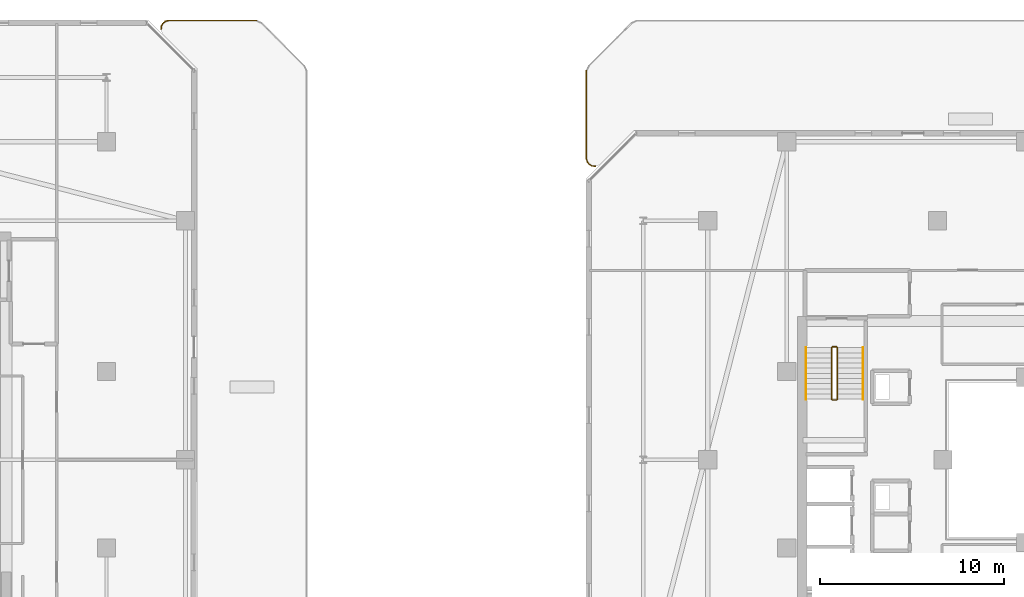
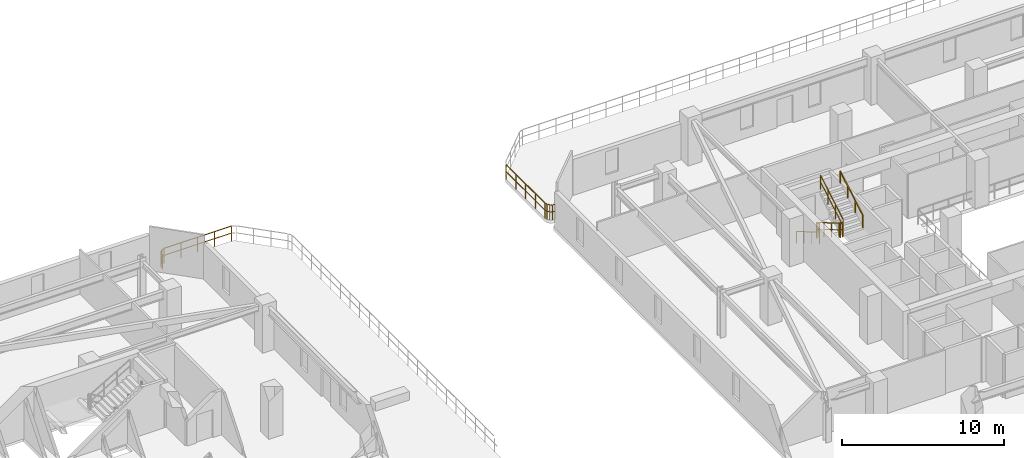
# One storey, part 30 of 32: 8 railings.
"""IFC4 building model written with IfcOpenShell, lengths in metres."""

import ifcopenshell
import ifcopenshell.guid

model = None  # the IFC model being written
_history = None  # IfcOwnerHistory: only IFC2X3 demands one
_inside = {}  # id of a spatial element -> (the spatial element, [elements in it])
_under = {}  # id of a project, library or spatial element -> (it, [spatial elements below it])
_declared = {}  # id of a project -> (the project, [libraries it declares])
_typed = {}  # id of a type object -> (the type object, [elements of that type])
_made_of = {}  # id of a material, layer set ... -> (it, [elements and type objects made of it])


def new_model(schema):
    """Start an empty IFC model of exactly this schema.

    Asked for "IFC4X3", IfcOpenShell would pick the latest addendum, in which some entities
    have other attributes; the version numbers below select the first issue.
    IFC2X3 requires an IfcOwnerHistory on every rooted entity: one is made here for all.
    """
    global model, _history
    if schema == "IFC4X3":
        model = ifcopenshell.file(schema_version=(4, 3, 0, 0))
    else:
        model = ifcopenshell.file(schema=schema)
    _inside.clear()
    _under.clear()
    _declared.clear()
    _typed.clear()
    _made_of.clear()
    _history = None
    if model.schema == "IFC2X3":
        org = make("IfcOrganization", Name="unknown")
        user = make(
            "IfcPersonAndOrganization",
            ThePerson=make("IfcPerson", FamilyName="unknown"),
            TheOrganization=org,
        )
        app = make(
            "IfcApplication",
            ApplicationDeveloper=org,
            Version="unknown",
            ApplicationFullName="unknown",
            ApplicationIdentifier="unknown",
        )
        _history = make(
            "IfcOwnerHistory",
            OwningUser=user,
            OwningApplication=app,
            ChangeAction="ADDED",
            CreationDate=0,
        )
    return model


def make(cls, **values):
    """One entity of the class cls with the attributes given. An attribute that is None is left unset."""
    return model.create_entity(
        cls, **{name: value for name, value in values.items() if value is not None}
    )


def rooted(cls, **values):
    """An entity with a GlobalId (a new one), such as an element, a storey or a relation."""
    return make(cls, GlobalId=ifcopenshell.guid.new(), OwnerHistory=_history, **values)


def si_unit(unit_type, name, prefix=None):
    """IfcSIUnit, for example si_unit("LENGTHUNIT", "METRE", prefix="MILLI")."""
    return make("IfcSIUnit", UnitType=unit_type, Prefix=prefix, Name=name)


def assignment(units):
    """IfcUnitAssignment: the units of a project."""
    return None if units is None else make("IfcUnitAssignment", Units=units)


def point(xyz):
    """IfcCartesianPoint."""
    return None if xyz is None else make("IfcCartesianPoint", Coordinates=xyz)


def direction(xyz):
    """IfcDirection."""
    return None if xyz is None else make("IfcDirection", DirectionRatios=xyz)


def frame(location, z_axis=None, x_axis=None):
    """IfcAxis2Placement3D, a coordinate frame: its origin and axes. An axis left out is left unset."""
    return make(
        "IfcAxis2Placement3D",
        Location=point(location),
        Axis=direction(z_axis),
        RefDirection=direction(x_axis),
    )


def frame_2d(location, x_axis=None):
    """IfcAxis2Placement2D, a coordinate frame in the plane: its origin and x axis."""
    return make(
        "IfcAxis2Placement2D", Location=point(location), RefDirection=direction(x_axis)
    )


def origin():
    """The frame at (0, 0, 0) with its axes left unset."""
    return frame((0.0, 0.0, 0.0))


def origin_2d():
    """The frame at (0, 0) in the plane with its x axis left unset."""
    return frame_2d((0.0, 0.0))


def place(relative_to, where):
    """IfcLocalPlacement: puts the frame where relative to a parent placement (None: the world)."""
    return make(
        "IfcLocalPlacement", PlacementRelTo=relative_to, RelativePlacement=where
    )


def context(
    kind, dimensions, precision=None, world=None, true_north=None, identifier=None
):
    """IfcGeometricRepresentationContext, for example the 3D "Model" context."""
    return make(
        "IfcGeometricRepresentationContext",
        ContextIdentifier=identifier,
        ContextType=kind,
        CoordinateSpaceDimension=dimensions,
        Precision=precision,
        WorldCoordinateSystem=world,
        TrueNorth=true_north,
    )


def subcontext(parent, identifier, kind, view, scale=None):
    """IfcGeometricRepresentationSubContext, for example "Body" below "Model"."""
    return make(
        "IfcGeometricRepresentationSubContext",
        ContextIdentifier=identifier,
        ContextType=kind,
        ParentContext=parent,
        TargetScale=scale,
        TargetView=view,
    )


def project(units=None, contexts=None):
    """IfcProject with its units and contexts."""
    return rooted(
        "IfcProject",
        Name="project",
        RepresentationContexts=contexts,
        UnitsInContext=assignment(units),
    )


def spatial(cls, under=None, at=None, **own):
    """A site, building, storey or space (cls), placed at a placement, below another one or the project."""
    s = rooted(cls, ObjectPlacement=at, **own)
    if under is not None:
        _under.setdefault(under.id(), (under, []))[1].append(s)
    return s


def profile(cls, at=None, kind="AREA", **sizes):
    """A parametric profile (cls). Its sizes go by their IFC names, for example OverallWidth=200.0."""
    return make(cls, ProfileType=kind, Position=at, **sizes)


def rectangle(**sizes):
    """IfcRectangleProfileDef."""
    return profile("IfcRectangleProfileDef", **sizes)


def extrude(swept, where, along, depth):
    """IfcExtrudedAreaSolid: the profile swept, set in the frame where, extruded along a direction by depth."""
    return make(
        "IfcExtrudedAreaSolid",
        SweptArea=swept,
        Position=where,
        ExtrudedDirection=direction(along),
        Depth=depth,
    )


def shape(context_of_items, identifier, shape_type, items):
    """IfcShapeRepresentation: the items that make up one representation, for example the "Body"."""
    return make(
        "IfcShapeRepresentation",
        ContextOfItems=context_of_items,
        RepresentationIdentifier=identifier,
        RepresentationType=shape_type,
        Items=items,
    )


def material(Name=None, Category=None):
    """IfcMaterial."""
    return make("IfcMaterial", Name=Name, Category=Category)


def made_of(thing, what):
    """Note that an element or type object is made of a material, layer set ...; save() writes the relation."""
    if what is not None:
        _made_of.setdefault(what.id(), (what, []))[1].append(thing)
    return thing


def type_object(cls, material=None, **own):
    """A type object (cls), such as IfcWallType, which elements share."""
    return made_of(rooted(cls, **own), material)


def element(
    cls,
    number,
    at=None,
    inside=None,
    cuts=None,
    type_object=None,
    material=None,
    context=None,
    identifier="Body",
    shape_type=None,
    held_by="IfcProductDefinitionShape",
    body=None,
    shapes=None,
    **own,
):
    """One element of the class cls, such as IfcWall. Its Tag is "e" and its number.

    at: its placement. inside: the storey or other place that contains it. cuts: it is an
    opening in that element (IfcRelVoidsElement). A single representation is given by context,
    identifier, shape_type and body (its items); several are given by shapes. held_by: the class
    of the entity that holds the representations. save() writes the other relations.
    """
    e = rooted(cls, Tag="e%d" % number, ObjectPlacement=at, **own)
    if body is not None:
        shapes = [shape(context, identifier, shape_type, body)]
    if shapes is not None:
        e.Representation = make(held_by, Representations=shapes)
    if inside is not None:
        _inside.setdefault(inside.id(), (inside, []))[1].append(e)
    if cuts is not None:
        rooted(
            "IfcRelVoidsElement", RelatingBuildingElement=cuts, RelatedOpeningElement=e
        )
    if type_object is not None:
        _typed.setdefault(type_object.id(), (type_object, []))[1].append(e)
    return made_of(e, material)


def aggregate(whole, parts):
    """IfcRelAggregates: a whole, such as a stair, and the parts it consists of."""
    return rooted("IfcRelAggregates", RelatingObject=whole, RelatedObjects=parts)


def save(model, path):
    """Write the relations noted so far, then the file.

    IfcRelAggregates (storeys below a building ...), IfcRelContainedInSpatialStructure (elements
    in a storey), IfcRelDefinesByType, IfcRelAssociatesMaterial and IfcRelDeclares: one each for
    every whole, place, type object, material and project.
    """
    for whole, parts in _under.values():
        aggregate(whole, parts)
    for where, things in _inside.values():
        rooted(
            "IfcRelContainedInSpatialStructure",
            RelatedElements=things,
            RelatingStructure=where,
        )
    for kind, things in _typed.values():
        rooted("IfcRelDefinesByType", RelatedObjects=things, RelatingType=kind)
    for what, things in _made_of.values():
        rooted("IfcRelAssociatesMaterial", RelatedObjects=things, RelatingMaterial=what)
    for by, libraries in _declared.values():
        rooted("IfcRelDeclares", RelatingContext=by, RelatedDefinitions=libraries)
    model.write(path)


model = new_model("IFC4")

# Units and contexts
model_context = context("Model", 3, precision=1e-05, world=origin(), true_north=direction((0.0, 1.0)))
body_context = subcontext(model_context, "Body", "Model", "MODEL_VIEW")
ifc_project = project(units=[si_unit("LENGTHUNIT", "METRE"), si_unit("AREAUNIT", "SQUARE_METRE"), si_unit("VOLUMEUNIT", "CUBIC_METRE"), si_unit("PLANEANGLEUNIT", "RADIAN"), si_unit("MASSUNIT", "GRAM", prefix="KILO")], contexts=[model_context])

# Site, building, storey
site_placement = place(None, origin())
site = spatial("IfcSite", under=ifc_project, at=site_placement, CompositionType="ELEMENT")
building_placement = place(site_placement, origin())
building = spatial("IfcBuilding", under=site, at=building_placement, Name="Thornwick Lancets Civic Towers", CompositionType="ELEMENT")
storey_placement = place(building_placement, frame((0.0, 0.0, 200.10009765625)))
storey = spatial("IfcBuildingStorey", under=building, at=storey_placement, Name="L53", CompositionType="ELEMENT", Elevation=200.10009765625)

# Railings
ifc_material_1 = material(Name="Brushed stainless steel S355", Category="steel")
railing_type_1 = type_object("IfcRailingType", Name="RAIL_HANDRAIL", PredefinedType="HANDRAIL", material=ifc_material_1)
railing_1_placement = place(storey_placement, frame((76.550048828125, 33.10009765625, 0.16357421875)))
element("IfcRailing", 1, at=railing_1_placement, inside=storey, type_object=railing_type_1, Name="L53 ST-B2 stair handrail 1", PredefinedType="HANDRAIL", context=body_context, shape_type="SweptSolid", body=[
    extrude(rectangle(XDim=0.048095703125, YDim=0.048095703125, at=origin_2d()), frame((0.0, 0.0, 0.8857421875), z_axis=(0.0, -0.863393664356, 0.504530851732), x_axis=(1.0, 0.0, 0.0)), (0.0, 0.0, 1.0), 3.2431640625),
    extrude(rectangle(XDim=0.0419921875, YDim=0.0419921875, at=origin_2d()), origin(), (0.0, 0.0, 1.0), 0.855712890625),
    extrude(rectangle(XDim=0.0419921875, YDim=0.0419921875, at=origin_2d()), frame((0.0, -0.933349609375, 0.54541015625)), (0.0, 0.0, 1.0), 0.855712890625),
    extrude(rectangle(XDim=0.0419921875, YDim=0.0419921875, at=origin_2d()), frame((0.0, -1.86669921875, 1.0908203125)), (0.0, 0.0, 1.0), 0.855712890625),
    extrude(rectangle(XDim=0.0419921875, YDim=0.0419921875, at=origin_2d()), frame((0.0, -2.800048828125, 1.63623046875)), (0.0, 0.0, 1.0), 0.855712890625),
])
railing_2_placement = place(storey_placement, frame((79.64990234375, 30.300048828125, 1.963623046875)))
element("IfcRailing", 2, at=railing_2_placement, inside=storey, type_object=railing_type_1, Name="L53 ST-B2 stair handrail 2", PredefinedType="HANDRAIL", context=body_context, shape_type="SweptSolid", body=[
    extrude(rectangle(XDim=0.048095703125, YDim=0.048095703125, at=origin_2d()), frame((0.0, 0.0, 0.8857421875), z_axis=(0.0, 0.863393664356, 0.504530851732), x_axis=(-1.0, 0.0, 0.0)), (0.0, 0.0, 1.0), 3.2431640625),
    extrude(rectangle(XDim=0.0419921875, YDim=0.0419921875, at=origin_2d()), origin(), (0.0, 0.0, 1.0), 0.855712890625),
    extrude(rectangle(XDim=0.0419921875, YDim=0.0419921875, at=origin_2d()), frame((0.0, 0.933349609375, 0.54541015625)), (0.0, 0.0, 1.0), 0.855712890625),
    extrude(rectangle(XDim=0.0419921875, YDim=0.0419921875, at=origin_2d()), frame((0.0, 1.86669921875, 1.0908203125)), (0.0, 0.0, 1.0), 0.855712890625),
    extrude(rectangle(XDim=0.0419921875, YDim=0.0419921875, at=origin_2d()), frame((0.0, 2.800048828125, 1.63623046875)), (0.0, 0.0, 1.0), 0.855712890625),
])
ifc_material_2 = material(Name="Steel S355JR", Category="steel")
railing_type_2 = type_object("IfcRailingType", Name="RAIL_STAIR_GUARD", PredefinedType="GUARDRAIL", material=ifc_material_2)
railing_3_placement = place(storey_placement, frame((77.949951171875, 33.10009765625, 0.16357421875)))
element("IfcRailing", 3, at=railing_3_placement, inside=storey, type_object=railing_type_2, Name="L53 ST-B2 stair guard 1", PredefinedType="GUARDRAIL", context=body_context, shape_type="SweptSolid", body=[
    extrude(rectangle(XDim=0.048095703125, YDim=0.048095703125, at=origin_2d()), frame((0.0, 0.0, 1.076171875), z_axis=(0.0, -0.863393664356, 0.504530851732), x_axis=(1.0, 0.0, 0.0)), (0.0, 0.0, 1.0), 3.2431640625),
    extrude(rectangle(XDim=0.0419921875, YDim=0.0419921875, at=origin_2d()), frame((0.0, -0.032470703125, 0.591064453125), z_axis=(0.0, -0.863393664356, 0.504530851732), x_axis=(1.0, 0.0, 0.0)), (0.0, 0.0, 1.0), 1.006103515625),
    extrude(rectangle(XDim=0.0419921875, YDim=0.0419921875, at=origin_2d()), frame((0.0, -0.9658203125, 1.136474609375), z_axis=(0.0, -0.863393664356, 0.504530851732), x_axis=(1.0, 0.0, 0.0)), (0.0, 0.0, 1.0), 1.006103515625),
    extrude(rectangle(XDim=0.0419921875, YDim=0.0419921875, at=origin_2d()), frame((0.0, -1.899169921875, 1.681884765625), z_axis=(0.0, -0.863393664356, 0.504530851732), x_axis=(1.0, 0.0, 0.0)), (0.0, 0.0, 1.0), 1.006103515625),
    extrude(rectangle(XDim=0.0419921875, YDim=0.0419921875, at=origin_2d()), origin(), (0.0, 0.0, 1.0), 1.0458984375),
    extrude(rectangle(XDim=0.0419921875, YDim=0.0419921875, at=origin_2d()), frame((0.0, -0.933349609375, 0.54541015625)), (0.0, 0.0, 1.0), 1.0458984375),
    extrude(rectangle(XDim=0.0419921875, YDim=0.0419921875, at=origin_2d()), frame((0.0, -1.86669921875, 1.0908203125)), (0.0, 0.0, 1.0), 1.0458984375),
    extrude(rectangle(XDim=0.0419921875, YDim=0.0419921875, at=origin_2d()), frame((0.0, -2.800048828125, 1.63623046875)), (0.0, 0.0, 1.0), 1.0458984375),
])
railing_4_placement = place(storey_placement, frame((78.0, 30.25, 1.7998046875)))
element("IfcRailing", 4, at=railing_4_placement, inside=storey, type_object=railing_type_2, Name="L53 ST-B2 stair guard 2", PredefinedType="GUARDRAIL", context=body_context, shape_type="SweptSolid", body=[
    extrude(rectangle(XDim=0.048095703125, YDim=0.048095703125, at=origin_2d()), frame((0.0, 0.0, 1.076171875), z_axis=(1.0, 0.0, 0.0), x_axis=(0.0, 1.0, 0.0)), (0.0, 0.0, 1.0), 0.199951171875),
    extrude(rectangle(XDim=0.0419921875, YDim=0.0419921875, at=origin_2d()), frame((0.03759765625, 0.0, 0.572021484375), z_axis=(1.0, 0.0, 0.0), x_axis=(0.0, 1.0, 0.0)), (0.0, 0.0, 1.0), 0.125),
    extrude(rectangle(XDim=0.0419921875, YDim=0.0419921875, at=origin_2d()), origin(), (0.0, 0.0, 1.0), 1.0458984375),
    extrude(rectangle(XDim=0.0419921875, YDim=0.0419921875, at=origin_2d()), frame((0.199951171875, 0.0, 0.0)), (0.0, 0.0, 1.0), 1.0458984375),
])
railing_5_placement = place(storey_placement, frame((78.25, 30.300048828125, 1.963623046875)))
element("IfcRailing", 5, at=railing_5_placement, inside=storey, type_object=railing_type_2, Name="L53 ST-B2 stair guard 3", PredefinedType="GUARDRAIL", context=body_context, shape_type="SweptSolid", body=[
    extrude(rectangle(XDim=0.048095703125, YDim=0.048095703125, at=origin_2d()), frame((0.0, 0.0, 1.076171875), z_axis=(0.0, 0.863393664356, 0.504530851732), x_axis=(-1.0, 0.0, 0.0)), (0.0, 0.0, 1.0), 3.2431640625),
    extrude(rectangle(XDim=0.0419921875, YDim=0.0419921875, at=origin_2d()), frame((0.0, 0.032470703125, 0.591064453125), z_axis=(0.0, 0.863393664356, 0.504530851732), x_axis=(-1.0, 0.0, 0.0)), (0.0, 0.0, 1.0), 1.006103515625),
    extrude(rectangle(XDim=0.0419921875, YDim=0.0419921875, at=origin_2d()), frame((0.0, 0.9658203125, 1.136474609375), z_axis=(0.0, 0.863393664356, 0.504530851732), x_axis=(-1.0, 0.0, 0.0)), (0.0, 0.0, 1.0), 1.006103515625),
    extrude(rectangle(XDim=0.0419921875, YDim=0.0419921875, at=origin_2d()), frame((0.0, 1.899169921875, 1.681884765625), z_axis=(0.0, 0.863393664356, 0.504530851732), x_axis=(-1.0, 0.0, 0.0)), (0.0, 0.0, 1.0), 1.006103515625),
    extrude(rectangle(XDim=0.0419921875, YDim=0.0419921875, at=origin_2d()), origin(), (0.0, 0.0, 1.0), 1.0458984375),
    extrude(rectangle(XDim=0.0419921875, YDim=0.0419921875, at=origin_2d()), frame((0.0, 0.933349609375, 0.54541015625)), (0.0, 0.0, 1.0), 1.0458984375),
    extrude(rectangle(XDim=0.0419921875, YDim=0.0419921875, at=origin_2d()), frame((0.0, 1.86669921875, 1.0908203125)), (0.0, 0.0, 1.0), 1.0458984375),
    extrude(rectangle(XDim=0.0419921875, YDim=0.0419921875, at=origin_2d()), frame((0.0, 2.800048828125, 1.63623046875)), (0.0, 0.0, 1.0), 1.0458984375),
])
railing_6_placement = place(storey_placement, frame((78.0, 33.14990234375, 0.0)))
element("IfcRailing", 6, at=railing_6_placement, inside=storey, type_object=railing_type_2, Name="L53 ST-B2 stair guard 4", PredefinedType="GUARDRAIL", context=body_context, shape_type="SweptSolid", body=[
    extrude(rectangle(XDim=0.048095703125, YDim=0.048095703125, at=origin_2d()), frame((0.0, 0.0, 1.076171875), z_axis=(1.0, 0.0, 0.0), x_axis=(0.0, 1.0, 0.0)), (0.0, 0.0, 1.0), 0.199951171875),
    extrude(rectangle(XDim=0.0419921875, YDim=0.0419921875, at=origin_2d()), frame((0.03759765625, 0.0, 0.572021484375), z_axis=(1.0, 0.0, 0.0), x_axis=(0.0, 1.0, 0.0)), (0.0, 0.0, 1.0), 0.125),
    extrude(rectangle(XDim=0.0419921875, YDim=0.0419921875, at=origin_2d()), origin(), (0.0, 0.0, 1.0), 1.0458984375),
    extrude(rectangle(XDim=0.0419921875, YDim=0.0419921875, at=origin_2d()), frame((0.199951171875, 0.0, 0.0)), (0.0, 0.0, 1.0), 1.0458984375),
])
ifc_material_3 = material(Name="Terracotta-capped laminated glass balustrade S355", Category="masonry")
railing_type_3 = type_object("IfcRailingType", Name="RAIL_TERR_GUARD", PredefinedType="GUARDRAIL", material=ifc_material_3)
railing_7_placement = place(storey_placement, frame((41.46728515625, 50.40234375, 0.0)))
element("IfcRailing", 7, at=railing_7_placement, inside=storey, type_object=railing_type_3, Name="L53 Tower A Sky-Garden Guard 1 Part 2", PredefinedType="GUARDRAIL", context=body_context, shape_type="SweptSolid", body=[
    extrude(rectangle(XDim=0.048095703125, YDim=0.048095703125, at=origin_2d()), frame((0.0, 0.0, 1.1259765625), z_axis=(0.094101126617, 0.99556264392, 0.0), x_axis=(-0.99556264392, 0.094101126617, 0.0)), (0.0, 0.0, 1.0), 0.147705078125),
    extrude(rectangle(XDim=0.0419921875, YDim=0.0419921875, at=origin_2d()), frame((0.00341796875, 0.037353515625, 0.597900390625), z_axis=(0.094101126617, 0.99556264392, 0.0), x_axis=(-0.99556264392, 0.094101126617, 0.0)), (0.0, 0.0, 1.0), 0.10400390625),
    extrude(rectangle(XDim=0.048095703125, YDim=0.048095703125, at=origin_2d()), frame((0.031494140625, 0.205810546875, 1.1259765625), z_axis=(0.470948722639, 0.882160586654, 0.0), x_axis=(-0.882160586654, 0.470948722639, 0.0)), (0.0, 0.0, 1.0), 0.11328125),
    extrude(rectangle(XDim=0.0419921875, YDim=0.0419921875, at=origin_2d()), frame((0.034423828125, 0.211181640625, 0.597900390625), z_axis=(0.470948722639, 0.882160586654, 0.0), x_axis=(-0.882160586654, 0.470948722639, 0.0)), (0.0, 0.0, 1.0), 0.100830078125),
    extrude(rectangle(XDim=0.048095703125, YDim=0.048095703125, at=origin_2d()), frame((0.123779296875, 0.35302734375, 1.1259765625), z_axis=(0.773213238462, 0.634146109242, 0.0), x_axis=(-0.634146109242, 0.773213238462, 0.0)), (0.0, 0.0, 1.0), 0.113037109375),
    extrude(rectangle(XDim=0.0419921875, YDim=0.0419921875, at=origin_2d()), frame((0.128662109375, 0.35693359375, 0.597900390625), z_axis=(0.773213238462, 0.634146109242, 0.0), x_axis=(-0.634146109242, 0.773213238462, 0.0)), (0.0, 0.0, 1.0), 0.1005859375),
    extrude(rectangle(XDim=0.048095703125, YDim=0.048095703125, at=origin_2d()), frame((0.265380859375, 0.45361328125, 1.1259765625), z_axis=(0.957211427299, 0.289389501276, 0.0), x_axis=(-0.289389501276, 0.957211427299, 0.0)), (0.0, 0.0, 1.0), 0.113037109375),
    extrude(rectangle(XDim=0.0419921875, YDim=0.0419921875, at=origin_2d()), frame((0.271240234375, 0.455322265625, 0.597900390625), z_axis=(0.957211427299, 0.289389501276, 0.0), x_axis=(-0.289389501276, 0.957211427299, 0.0)), (0.0, 0.0, 1.0), 0.1005859375),
    extrude(rectangle(XDim=0.048095703125, YDim=0.048095703125, at=origin_2d()), frame((0.4345703125, 0.495361328125, 1.1259765625), z_axis=(1.0, 0.0, 0.0), x_axis=(0.0, 1.0, 0.0)), (0.0, 0.0, 1.0), 4.755859375),
    extrude(rectangle(XDim=0.0419921875, YDim=0.0419921875, at=origin_2d()), frame((0.44091796875, 0.495361328125, 0.597900390625), z_axis=(1.0, 0.0, 0.0), x_axis=(0.0, 1.0, 0.0)), (0.0, 0.0, 1.0), 1.121826171875),
    extrude(rectangle(XDim=0.0419921875, YDim=0.0419921875, at=origin_2d()), frame((1.6376953125, 0.495361328125, 0.597900390625), z_axis=(1.0, 0.0, 0.0), x_axis=(0.0, 1.0, 0.0)), (0.0, 0.0, 1.0), 1.121826171875),
    extrude(rectangle(XDim=0.0419921875, YDim=0.0419921875, at=origin_2d()), frame((2.83447265625, 0.495361328125, 0.597900390625), z_axis=(1.0, 0.0, 0.0), x_axis=(0.0, 1.0, 0.0)), (0.0, 0.0, 1.0), 1.121826171875),
    extrude(rectangle(XDim=0.0419921875, YDim=0.0419921875, at=origin_2d()), frame((4.03125, 0.495361328125, 0.597900390625), z_axis=(1.0, 0.0, 0.0), x_axis=(0.0, 1.0, 0.0)), (0.0, 0.0, 1.0), 1.121826171875),
    extrude(rectangle(XDim=0.0419921875, YDim=0.0419921875, at=origin_2d()), origin(), (0.0, 0.0, 1.0), 1.095703125),
    extrude(rectangle(XDim=0.0419921875, YDim=0.0419921875, at=origin_2d()), frame((0.016845703125, 0.17822265625, 0.0)), (0.0, 0.0, 1.0), 1.095703125),
    extrude(rectangle(XDim=0.0419921875, YDim=0.0419921875, at=origin_2d()), frame((0.099609375, 0.333251953125, 0.0)), (0.0, 0.0, 1.0), 1.095703125),
    extrude(rectangle(XDim=0.0419921875, YDim=0.0419921875, at=origin_2d()), frame((0.2353515625, 0.444580078125, 0.0)), (0.0, 0.0, 1.0), 1.095703125),
    extrude(rectangle(XDim=0.0419921875, YDim=0.0419921875, at=origin_2d()), frame((0.4033203125, 0.495361328125, 0.0)), (0.0, 0.0, 1.0), 1.095703125),
    extrude(rectangle(XDim=0.0419921875, YDim=0.0419921875, at=origin_2d()), frame((1.60009765625, 0.495361328125, 0.0)), (0.0, 0.0, 1.0), 1.095703125),
    extrude(rectangle(XDim=0.0419921875, YDim=0.0419921875, at=origin_2d()), frame((2.796875, 0.495361328125, 0.0)), (0.0, 0.0, 1.0), 1.095703125),
    extrude(rectangle(XDim=0.0419921875, YDim=0.0419921875, at=origin_2d()), frame((3.99365234375, 0.495361328125, 0.0)), (0.0, 0.0, 1.0), 1.095703125),
    extrude(rectangle(XDim=0.0419921875, YDim=0.0419921875, at=origin_2d()), frame((5.1904296875, 0.495361328125, 0.0)), (0.0, 0.0, 1.0), 1.095703125),
])
railing_8_placement = place(storey_placement, frame((65.09765625, 42.96728515625, 0.0)))
element("IfcRailing", 8, at=railing_8_placement, inside=storey, type_object=railing_type_3, Name="L53 Tower B Sky-Garden Guard 1 Part 2", PredefinedType="GUARDRAIL", context=body_context, shape_type="SweptSolid", body=[
    extrude(rectangle(XDim=0.048095703125, YDim=0.048095703125, at=origin_2d()), frame((0.0, 0.0, 1.1259765625), z_axis=(-0.99556264392, 0.094101126617, 0.0), x_axis=(-0.094101126617, -0.99556264392, 0.0)), (0.0, 0.0, 1.0), 0.147705078125),
    extrude(rectangle(XDim=0.0419921875, YDim=0.0419921875, at=origin_2d()), frame((-0.037353515625, 0.00341796875, 0.597900390625), z_axis=(-0.99556264392, 0.094101126617, 0.0), x_axis=(-0.094101126617, -0.99556264392, 0.0)), (0.0, 0.0, 1.0), 0.10400390625),
    extrude(rectangle(XDim=0.048095703125, YDim=0.048095703125, at=origin_2d()), frame((-0.205810546875, 0.031494140625, 1.1259765625), z_axis=(-0.882160586654, 0.470948722639, 0.0), x_axis=(-0.470948722639, -0.882160586654, 0.0)), (0.0, 0.0, 1.0), 0.11328125),
    extrude(rectangle(XDim=0.0419921875, YDim=0.0419921875, at=origin_2d()), frame((-0.211181640625, 0.034423828125, 0.597900390625), z_axis=(-0.882160586654, 0.470948722639, 0.0), x_axis=(-0.470948722639, -0.882160586654, 0.0)), (0.0, 0.0, 1.0), 0.100830078125),
    extrude(rectangle(XDim=0.048095703125, YDim=0.048095703125, at=origin_2d()), frame((-0.35302734375, 0.123779296875, 1.1259765625), z_axis=(-0.634146109242, 0.773213238462, 0.0), x_axis=(-0.773213238462, -0.634146109242, 0.0)), (0.0, 0.0, 1.0), 0.113037109375),
    extrude(rectangle(XDim=0.0419921875, YDim=0.0419921875, at=origin_2d()), frame((-0.35693359375, 0.128662109375, 0.597900390625), z_axis=(-0.634146109242, 0.773213238462, 0.0), x_axis=(-0.773213238462, -0.634146109242, 0.0)), (0.0, 0.0, 1.0), 0.1005859375),
    extrude(rectangle(XDim=0.048095703125, YDim=0.048095703125, at=origin_2d()), frame((-0.45361328125, 0.265380859375, 1.1259765625), z_axis=(-0.289389501276, 0.957211427299, 0.0), x_axis=(-0.957211427299, -0.289389501276, 0.0)), (0.0, 0.0, 1.0), 0.113037109375),
    extrude(rectangle(XDim=0.0419921875, YDim=0.0419921875, at=origin_2d()), frame((-0.455322265625, 0.271240234375, 0.597900390625), z_axis=(-0.289389501276, 0.957211427299, 0.0), x_axis=(-0.957211427299, -0.289389501276, 0.0)), (0.0, 0.0, 1.0), 0.1005859375),
    extrude(rectangle(XDim=0.048095703125, YDim=0.048095703125, at=origin_2d()), frame((-0.495361328125, 0.4345703125, 1.1259765625), z_axis=(0.0, 1.0, 0.0), x_axis=(-1.0, 0.0, 0.0)), (0.0, 0.0, 1.0), 4.755859375),
    extrude(rectangle(XDim=0.0419921875, YDim=0.0419921875, at=origin_2d()), frame((-0.495361328125, 0.44091796875, 0.597900390625), z_axis=(0.0, 1.0, 0.0), x_axis=(-1.0, 0.0, 0.0)), (0.0, 0.0, 1.0), 1.121826171875),
    extrude(rectangle(XDim=0.0419921875, YDim=0.0419921875, at=origin_2d()), frame((-0.495361328125, 1.6376953125, 0.597900390625), z_axis=(0.0, 1.0, 0.0), x_axis=(-1.0, 0.0, 0.0)), (0.0, 0.0, 1.0), 1.121826171875),
    extrude(rectangle(XDim=0.0419921875, YDim=0.0419921875, at=origin_2d()), frame((-0.495361328125, 2.83447265625, 0.597900390625), z_axis=(0.0, 1.0, 0.0), x_axis=(-1.0, 0.0, 0.0)), (0.0, 0.0, 1.0), 1.121826171875),
    extrude(rectangle(XDim=0.0419921875, YDim=0.0419921875, at=origin_2d()), frame((-0.495361328125, 4.03125, 0.597900390625), z_axis=(0.0, 1.0, 0.0), x_axis=(-1.0, 0.0, 0.0)), (0.0, 0.0, 1.0), 1.121826171875),
    extrude(rectangle(XDim=0.0419921875, YDim=0.0419921875, at=origin_2d()), origin(), (0.0, 0.0, 1.0), 1.095703125),
    extrude(rectangle(XDim=0.0419921875, YDim=0.0419921875, at=origin_2d()), frame((-0.17822265625, 0.016845703125, 0.0)), (0.0, 0.0, 1.0), 1.095703125),
    extrude(rectangle(XDim=0.0419921875, YDim=0.0419921875, at=origin_2d()), frame((-0.333251953125, 0.099609375, 0.0)), (0.0, 0.0, 1.0), 1.095703125),
    extrude(rectangle(XDim=0.0419921875, YDim=0.0419921875, at=origin_2d()), frame((-0.444580078125, 0.2353515625, 0.0)), (0.0, 0.0, 1.0), 1.095703125),
    extrude(rectangle(XDim=0.0419921875, YDim=0.0419921875, at=origin_2d()), frame((-0.495361328125, 0.4033203125, 0.0)), (0.0, 0.0, 1.0), 1.095703125),
    extrude(rectangle(XDim=0.0419921875, YDim=0.0419921875, at=origin_2d()), frame((-0.495361328125, 1.60009765625, 0.0)), (0.0, 0.0, 1.0), 1.095703125),
    extrude(rectangle(XDim=0.0419921875, YDim=0.0419921875, at=origin_2d()), frame((-0.495361328125, 2.796875, 0.0)), (0.0, 0.0, 1.0), 1.095703125),
    extrude(rectangle(XDim=0.0419921875, YDim=0.0419921875, at=origin_2d()), frame((-0.495361328125, 3.99365234375, 0.0)), (0.0, 0.0, 1.0), 1.095703125),
    extrude(rectangle(XDim=0.0419921875, YDim=0.0419921875, at=origin_2d()), frame((-0.495361328125, 5.1904296875, 0.0)), (0.0, 0.0, 1.0), 1.095703125),
])

save(model, "model.ifc")
